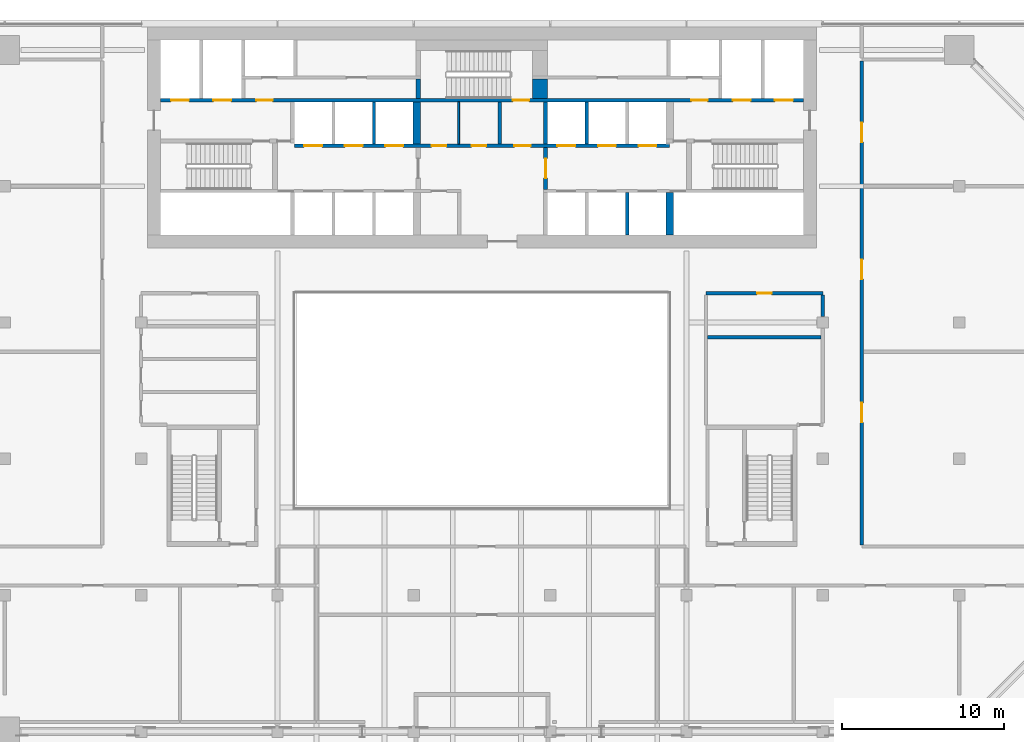
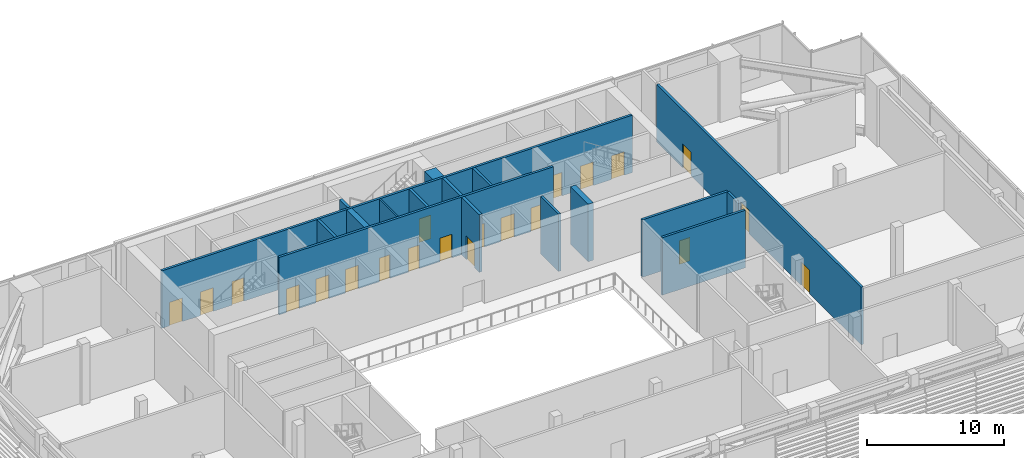
# One storey, part 15 of 29: 21 doors, 17 walls, 21 openings.
"""IFC4 building model written with IfcOpenShell, lengths in metres."""

import ifcopenshell
import ifcopenshell.guid

model = None  # the IFC model being written
_history = None  # IfcOwnerHistory: only IFC2X3 demands one
_inside = {}  # id of a spatial element -> (the spatial element, [elements in it])
_under = {}  # id of a project, library or spatial element -> (it, [spatial elements below it])
_declared = {}  # id of a project -> (the project, [libraries it declares])
_typed = {}  # id of a type object -> (the type object, [elements of that type])
_made_of = {}  # id of a material, layer set ... -> (it, [elements and type objects made of it])


def new_model(schema):
    """Start an empty IFC model of exactly this schema.

    Asked for "IFC4X3", IfcOpenShell would pick the latest addendum, in which some entities
    have other attributes; the version numbers below select the first issue.
    IFC2X3 requires an IfcOwnerHistory on every rooted entity: one is made here for all.
    """
    global model, _history
    if schema == "IFC4X3":
        model = ifcopenshell.file(schema_version=(4, 3, 0, 0))
    else:
        model = ifcopenshell.file(schema=schema)
    _inside.clear()
    _under.clear()
    _declared.clear()
    _typed.clear()
    _made_of.clear()
    _history = None
    if model.schema == "IFC2X3":
        org = make("IfcOrganization", Name="unknown")
        user = make(
            "IfcPersonAndOrganization",
            ThePerson=make("IfcPerson", FamilyName="unknown"),
            TheOrganization=org,
        )
        app = make(
            "IfcApplication",
            ApplicationDeveloper=org,
            Version="unknown",
            ApplicationFullName="unknown",
            ApplicationIdentifier="unknown",
        )
        _history = make(
            "IfcOwnerHistory",
            OwningUser=user,
            OwningApplication=app,
            ChangeAction="ADDED",
            CreationDate=0,
        )
    return model


def make(cls, **values):
    """One entity of the class cls with the attributes given. An attribute that is None is left unset."""
    return model.create_entity(
        cls, **{name: value for name, value in values.items() if value is not None}
    )


def rooted(cls, **values):
    """An entity with a GlobalId (a new one), such as an element, a storey or a relation."""
    return make(cls, GlobalId=ifcopenshell.guid.new(), OwnerHistory=_history, **values)


def si_unit(unit_type, name, prefix=None):
    """IfcSIUnit, for example si_unit("LENGTHUNIT", "METRE", prefix="MILLI")."""
    return make("IfcSIUnit", UnitType=unit_type, Prefix=prefix, Name=name)


def assignment(units):
    """IfcUnitAssignment: the units of a project."""
    return None if units is None else make("IfcUnitAssignment", Units=units)


def point(xyz):
    """IfcCartesianPoint."""
    return None if xyz is None else make("IfcCartesianPoint", Coordinates=xyz)


def direction(xyz):
    """IfcDirection."""
    return None if xyz is None else make("IfcDirection", DirectionRatios=xyz)


def frame(location, z_axis=None, x_axis=None):
    """IfcAxis2Placement3D, a coordinate frame: its origin and axes. An axis left out is left unset."""
    return make(
        "IfcAxis2Placement3D",
        Location=point(location),
        Axis=direction(z_axis),
        RefDirection=direction(x_axis),
    )


def frame_2d(location, x_axis=None):
    """IfcAxis2Placement2D, a coordinate frame in the plane: its origin and x axis."""
    return make(
        "IfcAxis2Placement2D", Location=point(location), RefDirection=direction(x_axis)
    )


def origin():
    """The frame at (0, 0, 0) with its axes left unset."""
    return frame((0.0, 0.0, 0.0))


def place(relative_to, where):
    """IfcLocalPlacement: puts the frame where relative to a parent placement (None: the world)."""
    return make(
        "IfcLocalPlacement", PlacementRelTo=relative_to, RelativePlacement=where
    )


def context(
    kind, dimensions, precision=None, world=None, true_north=None, identifier=None
):
    """IfcGeometricRepresentationContext, for example the 3D "Model" context."""
    return make(
        "IfcGeometricRepresentationContext",
        ContextIdentifier=identifier,
        ContextType=kind,
        CoordinateSpaceDimension=dimensions,
        Precision=precision,
        WorldCoordinateSystem=world,
        TrueNorth=true_north,
    )


def subcontext(parent, identifier, kind, view, scale=None):
    """IfcGeometricRepresentationSubContext, for example "Body" below "Model"."""
    return make(
        "IfcGeometricRepresentationSubContext",
        ContextIdentifier=identifier,
        ContextType=kind,
        ParentContext=parent,
        TargetScale=scale,
        TargetView=view,
    )


def project(units=None, contexts=None):
    """IfcProject with its units and contexts."""
    return rooted(
        "IfcProject",
        Name="project",
        RepresentationContexts=contexts,
        UnitsInContext=assignment(units),
    )


def spatial(cls, under=None, at=None, **own):
    """A site, building, storey or space (cls), placed at a placement, below another one or the project."""
    s = rooted(cls, ObjectPlacement=at, **own)
    if under is not None:
        _under.setdefault(under.id(), (under, []))[1].append(s)
    return s


def profile(cls, at=None, kind="AREA", **sizes):
    """A parametric profile (cls). Its sizes go by their IFC names, for example OverallWidth=200.0."""
    return make(cls, ProfileType=kind, Position=at, **sizes)


def rectangle(**sizes):
    """IfcRectangleProfileDef."""
    return profile("IfcRectangleProfileDef", **sizes)


def extrude(swept, where, along, depth):
    """IfcExtrudedAreaSolid: the profile swept, set in the frame where, extruded along a direction by depth."""
    return make(
        "IfcExtrudedAreaSolid",
        SweptArea=swept,
        Position=where,
        ExtrudedDirection=direction(along),
        Depth=depth,
    )


def shape(context_of_items, identifier, shape_type, items):
    """IfcShapeRepresentation: the items that make up one representation, for example the "Body"."""
    return make(
        "IfcShapeRepresentation",
        ContextOfItems=context_of_items,
        RepresentationIdentifier=identifier,
        RepresentationType=shape_type,
        Items=items,
    )


def material(Name=None, Category=None):
    """IfcMaterial."""
    return make("IfcMaterial", Name=Name, Category=Category)


def layer(
    of_material, thickness, ventilated=None, Name=None, Category=None, Priority=None
):
    """IfcMaterialLayer: one layer of a wall or slab, of a material (None: an air gap)."""
    return make(
        "IfcMaterialLayer",
        Material=of_material,
        LayerThickness=thickness,
        IsVentilated=ventilated,
        Name=Name,
        Category=Category,
        Priority=Priority,
    )


def layer_set(layers, Name=None):
    """IfcMaterialLayerSet."""
    return make("IfcMaterialLayerSet", MaterialLayers=layers, LayerSetName=Name)


def made_of(thing, what):
    """Note that an element or type object is made of a material, layer set ...; save() writes the relation."""
    if what is not None:
        _made_of.setdefault(what.id(), (what, []))[1].append(thing)
    return thing


def type_object(cls, material=None, **own):
    """A type object (cls), such as IfcWallType, which elements share."""
    return made_of(rooted(cls, **own), material)


def element(
    cls,
    number,
    at=None,
    inside=None,
    cuts=None,
    type_object=None,
    material=None,
    context=None,
    identifier="Body",
    shape_type=None,
    held_by="IfcProductDefinitionShape",
    body=None,
    shapes=None,
    **own,
):
    """One element of the class cls, such as IfcWall. Its Tag is "e" and its number.

    at: its placement. inside: the storey or other place that contains it. cuts: it is an
    opening in that element (IfcRelVoidsElement). A single representation is given by context,
    identifier, shape_type and body (its items); several are given by shapes. held_by: the class
    of the entity that holds the representations. save() writes the other relations.
    """
    e = rooted(cls, Tag="e%d" % number, ObjectPlacement=at, **own)
    if body is not None:
        shapes = [shape(context, identifier, shape_type, body)]
    if shapes is not None:
        e.Representation = make(held_by, Representations=shapes)
    if inside is not None:
        _inside.setdefault(inside.id(), (inside, []))[1].append(e)
    if cuts is not None:
        rooted(
            "IfcRelVoidsElement", RelatingBuildingElement=cuts, RelatedOpeningElement=e
        )
    if type_object is not None:
        _typed.setdefault(type_object.id(), (type_object, []))[1].append(e)
    return made_of(e, material)


def fill(opening, filler):
    """IfcRelFillsElement: the door or window that sits in an opening."""
    return rooted(
        "IfcRelFillsElement",
        RelatingOpeningElement=opening,
        RelatedBuildingElement=filler,
    )


def aggregate(whole, parts):
    """IfcRelAggregates: a whole, such as a stair, and the parts it consists of."""
    return rooted("IfcRelAggregates", RelatingObject=whole, RelatedObjects=parts)


def save(model, path):
    """Write the relations noted so far, then the file.

    IfcRelAggregates (storeys below a building ...), IfcRelContainedInSpatialStructure (elements
    in a storey), IfcRelDefinesByType, IfcRelAssociatesMaterial and IfcRelDeclares: one each for
    every whole, place, type object, material and project.
    """
    for whole, parts in _under.values():
        aggregate(whole, parts)
    for where, things in _inside.values():
        rooted(
            "IfcRelContainedInSpatialStructure",
            RelatedElements=things,
            RelatingStructure=where,
        )
    for kind, things in _typed.values():
        rooted("IfcRelDefinesByType", RelatedObjects=things, RelatingType=kind)
    for what, things in _made_of.values():
        rooted("IfcRelAssociatesMaterial", RelatedObjects=things, RelatingMaterial=what)
    for by, libraries in _declared.values():
        rooted("IfcRelDeclares", RelatingContext=by, RelatedDefinitions=libraries)
    model.write(path)


model = new_model("IFC4")

# Units and contexts
model_context = context("Model", 3, precision=1e-05, world=origin(), true_north=direction((0.0, 1.0)))
body_context = subcontext(model_context, "Body", "Model", "MODEL_VIEW")
ifc_project = project(units=[si_unit("LENGTHUNIT", "METRE"), si_unit("AREAUNIT", "SQUARE_METRE"), si_unit("VOLUMEUNIT", "CUBIC_METRE"), si_unit("PLANEANGLEUNIT", "RADIAN"), si_unit("MASSUNIT", "GRAM", prefix="KILO")], contexts=[model_context])

# Site, building, storey
site_placement = place(None, origin())
site = spatial("IfcSite", under=ifc_project, at=site_placement, CompositionType="ELEMENT")
building_placement = place(site_placement, origin())
building = spatial("IfcBuilding", under=site, at=building_placement, Name="Saffron Gate Tower", CompositionType="ELEMENT")
storey_placement = place(building_placement, frame((0.0, 0.0, 142.050048828125)))
storey = spatial("IfcBuildingStorey", under=building, at=storey_placement, Name="L34", CompositionType="ELEMENT", Elevation=142.050048828125)

# Wall
ifc_material_1 = material(Name="Gypsum board partition on steel studs", Category="steel")
ifc_layer_1 = layer(ifc_material_1, 0.199951171875)
ifc_layer_set_1 = layer_set([ifc_layer_1], Name="CW10 Core partition 200")
wall_type_1 = type_object("IfcWallType", Name="CW10 Core partition 200", PredefinedType="PARTITIONING", material=ifc_layer_set_1)
wall_1_placement = place(storey_placement, frame((88.699951171875, 68.0, 0.0), z_axis=(0.0, 0.0, 1.0), x_axis=(0.0, 1.0, 0.0)))
element("IfcWall", 1, at=wall_1_placement, inside=storey, type_object=wall_type_1, Name="Wall CW10-L34-25", PredefinedType="PARTITIONING", context=body_context, shape_type="SweptSolid", body=[
    extrude(rectangle(XDim=2.60009765625, YDim=0.199951171875, at=frame_2d((1.300048828125, 0.0))), origin(), (0.0, 0.0, 1.0), 5.119873046875),
])

# Wall, opening, door
ifc_material_2 = material(Name="Concrete C60", Category="concrete")
ifc_layer_2 = layer(ifc_material_2, 0.25)
ifc_layer_set_2 = layer_set([ifc_layer_2], Name="CW14 RC core wall 250 C60")
wall_type_2 = type_object("IfcWallType", Name="CW14 RC core wall 250 C60", PredefinedType="SOLIDWALL", material=ifc_layer_set_2)
wall_2_placement = place(storey_placement, frame((91.52490234375, 65.199951171875, 0.0), z_axis=(0.0, 0.0, 1.0), x_axis=(0.0, 1.0, 0.0)))
wall_2 = element("IfcWall", 2, at=wall_2_placement, inside=storey, type_object=wall_type_2, Name="Wall CW14-L34-18", PredefinedType="SOLIDWALL", context=body_context, shape_type="SweptSolid", body=[
    extrude(rectangle(XDim=2.60009765625, YDim=0.25, at=frame_2d((1.300048828125, 0.0))), origin(), (0.0, 0.0, 1.0), 5.119873046875),
])
opening_1_placement = place(wall_2_placement, frame((0.699951171875, 0.0, 0.0)))
opening_1 = element("IfcOpeningElement", 3, at=opening_1_placement, cuts=wall_2, Name="Opening CR-01", PredefinedType="OPENING", context=body_context, shape_type="SweptSolid", body=[
    extrude(rectangle(XDim=1.199951171875, YDim=2.10009765625, at=frame_2d((0.60009765625, 1.050048828125))), frame((0.0, 0.135009765625, 0.0), z_axis=(0.0, -1.0, 0.0), x_axis=(1.0, 0.0, 0.0)), (0.0, 0.0, 1.0), 0.27001953125),
])
ifc_material_3 = material(Name="Steel fire door set", Category="steel")
door_type_1 = type_object("IfcDoorType", Name="CD3 Lobby door 1200x2100 EI 120", OperationType="NOTDEFINED", PredefinedType="DOOR", material=ifc_material_3)
door_1_placement = place(opening_1_placement, origin())
door_1 = element("IfcDoor", 4, at=door_1_placement, inside=storey, type_object=door_type_1, Name="DOOR CR-01", OperationType="SINGLE_SWING_RIGHT", OverallHeight=2.10009765625, OverallWidth=1.199951171875, PredefinedType="DOOR", context=body_context, shape_type="SweptSolid", body=[
    extrude(rectangle(XDim=1.199951171875, YDim=2.10009765625, at=frame_2d((0.60009765625, 1.050048828125))), frame((0.0, 0.02490234375, 0.0), z_axis=(0.0, -1.0, 0.0), x_axis=(1.0, 0.0, 0.0)), (0.0, 0.0, 1.0), 0.050048828125),
])
fill(opening_1, door_1)

# Walls
wall_3_placement = place(storey_placement, frame((91.52490234375, 68.0, 0.0), z_axis=(0.0, 0.0, 1.0), x_axis=(0.0, 1.0, 0.0)))
element("IfcWall", 5, at=wall_3_placement, inside=storey, type_object=wall_type_2, Name="Wall CW14-L34-26", PredefinedType="SOLIDWALL", context=body_context, shape_type="SweptSolid", body=[
    extrude(rectangle(XDim=2.60009765625, YDim=0.25, at=frame_2d((1.300048828125, 0.0))), origin(), (0.0, 0.0, 1.0), 5.119873046875),
])
wall_4_placement = place(storey_placement, frame((83.675048828125, 70.800048828125, 0.0), z_axis=(0.0, 0.0, 1.0), x_axis=(0.0, 1.0, 0.0)))
element("IfcWall", 6, at=wall_4_placement, inside=storey, type_object=wall_type_2, Name="Wall CW14-L34-37", PredefinedType="SOLIDWALL", context=body_context, shape_type="SweptSolid", body=[
    extrude(rectangle(XDim=1.199951171875, YDim=0.25, at=frame_2d((0.60009765625, 0.0))), origin(), (0.0, 0.0, 1.0), 5.119873046875),
])
ifc_layer_3 = layer(ifc_material_2, 0.199951171875)
ifc_layer_set_3 = layer_set([ifc_layer_3], Name="CW15 RC core wall 200 C60")
wall_type_3 = type_object("IfcWallType", Name="CW15 RC core wall 200 C60", PredefinedType="SOLIDWALL", material=ifc_layer_set_3)
wall_5_placement = place(storey_placement, frame((96.550048828125, 62.39990234375, 0.0), z_axis=(0.0, 0.0, 1.0), x_axis=(0.0, 1.0, 0.0)))
element("IfcWall", 7, at=wall_5_placement, inside=storey, type_object=wall_type_3, Name="Wall CW15-L34-12", PredefinedType="SOLIDWALL", context=body_context, shape_type="SweptSolid", body=[
    extrude(rectangle(XDim=2.60009765625, YDim=0.199951171875, at=frame_2d((1.300048828125, 0.0))), origin(), (0.0, 0.0, 1.0), 5.119873046875),
])

# Wall, openings, doors
wall_6_placement = place(storey_placement, frame((76.050048828125, 67.89990234375, 0.0), z_axis=(0.0, 0.0, 1.0), x_axis=(1.0, 0.0, 0.0)))
wall_6 = element("IfcWall", 8, at=wall_6_placement, inside=storey, type_object=wall_type_3, Name="Wall CW15-L34-20", PredefinedType="SOLIDWALL", context=body_context, shape_type="SweptSolid", body=[
    extrude(rectangle(XDim=23.099853515625, YDim=0.199951171875, at=frame_2d((11.5498046875, 0.0))), origin(), (0.0, 0.0, 1.0), 5.119873046875),
])
opening_2_placement = place(wall_6_placement, frame((0.60009765625, 0.0, 0.0)))
opening_2 = element("IfcOpeningElement", 9, at=opening_2_placement, cuts=wall_6, Name="Opening LD-LR4", PredefinedType="OPENING", context=body_context, shape_type="SweptSolid", body=[
    extrude(rectangle(XDim=1.10009765625, YDim=2.10009765625, at=frame_2d((0.550048828125, 1.050048828125))), frame((0.0, 0.10986328125, 0.0), z_axis=(0.0, -1.0, 0.0), x_axis=(1.0, 0.0, 0.0)), (0.0, 0.0, 1.0), 0.219970703125),
])
opening_3_placement = place(wall_6_placement, frame((3.10009765625, 0.0, 0.0)))
opening_3 = element("IfcOpeningElement", 10, at=opening_3_placement, cuts=wall_6, Name="Opening LD-LR5", PredefinedType="OPENING", context=body_context, shape_type="SweptSolid", body=[
    extrude(rectangle(XDim=1.10009765625, YDim=2.10009765625, at=frame_2d((0.550048828125, 1.050048828125))), frame((0.0, 0.10986328125, 0.0), z_axis=(0.0, -1.0, 0.0), x_axis=(1.0, 0.0, 0.0)), (0.0, 0.0, 1.0), 0.219970703125),
])
opening_4_placement = place(wall_6_placement, frame((5.60009765625, 0.0, 0.0)))
opening_4 = element("IfcOpeningElement", 11, at=opening_4_placement, cuts=wall_6, Name="Opening LD-LR6", PredefinedType="OPENING", context=body_context, shape_type="SweptSolid", body=[
    extrude(rectangle(XDim=1.10009765625, YDim=2.10009765625, at=frame_2d((0.550048828125, 1.050048828125))), frame((0.0, 0.10986328125, 0.0), z_axis=(0.0, -1.0, 0.0), x_axis=(1.0, 0.0, 0.0)), (0.0, 0.0, 1.0), 0.219970703125),
])
opening_5_placement = place(wall_6_placement, frame((8.449951171875, 0.0, 0.0)))
opening_5 = element("IfcOpeningElement", 12, at=opening_5_placement, cuts=wall_6, Name="Opening CR-67", PredefinedType="OPENING", context=body_context, shape_type="SweptSolid", body=[
    extrude(rectangle(XDim=0.89990234375, YDim=2.10009765625, at=frame_2d((0.449951171875, 1.050048828125))), frame((0.0, 0.10986328125, 0.0), z_axis=(0.0, -1.0, 0.0), x_axis=(1.0, 0.0, 0.0)), (0.0, 0.0, 1.0), 0.219970703125),
])
opening_6_placement = place(wall_6_placement, frame((10.909912109375, 0.0, 0.0)))
opening_6 = element("IfcOpeningElement", 13, at=opening_6_placement, cuts=wall_6, Name="Opening CR-68", PredefinedType="OPENING", context=body_context, shape_type="SweptSolid", body=[
    extrude(rectangle(XDim=0.89990234375, YDim=2.10009765625, at=frame_2d((0.449951171875, 1.050048828125))), frame((0.0, 0.10986328125, 0.0), z_axis=(0.0, -1.0, 0.0), x_axis=(1.0, 0.0, 0.0)), (0.0, 0.0, 1.0), 0.219970703125),
])
opening_7_placement = place(wall_6_placement, frame((13.550048828125, 0.0, 0.0)))
opening_7 = element("IfcOpeningElement", 14, at=opening_7_placement, cuts=wall_6, Name="Opening CR-02", PredefinedType="OPENING", context=body_context, shape_type="SweptSolid", body=[
    extrude(rectangle(XDim=1.0, YDim=2.10009765625, at=frame_2d((0.5, 1.050048828125))), frame((0.0, 0.10986328125, 0.0), z_axis=(0.0, -1.0, 0.0), x_axis=(1.0, 0.0, 0.0)), (0.0, 0.0, 1.0), 0.219970703125),
])
opening_8_placement = place(wall_6_placement, frame((16.199951171875, 0.0, 0.0)))
opening_8 = element("IfcOpeningElement", 15, at=opening_8_placement, cuts=wall_6, Name="Opening LD-HR4", PredefinedType="OPENING", context=body_context, shape_type="SweptSolid", body=[
    extrude(rectangle(XDim=1.10009765625, YDim=2.10009765625, at=frame_2d((0.550048828125, 1.050048828125))), frame((0.0, 0.10986328125, 0.0), z_axis=(0.0, -1.0, 0.0), x_axis=(1.0, 0.0, 0.0)), (0.0, 0.0, 1.0), 0.219970703125),
])
opening_9_placement = place(wall_6_placement, frame((18.699951171875, 0.0, 0.0)))
opening_9 = element("IfcOpeningElement", 16, at=opening_9_placement, cuts=wall_6, Name="Opening LD-HR5", PredefinedType="OPENING", context=body_context, shape_type="SweptSolid", body=[
    extrude(rectangle(XDim=1.10009765625, YDim=2.10009765625, at=frame_2d((0.550048828125, 1.050048828125))), frame((0.0, 0.10986328125, 0.0), z_axis=(0.0, -1.0, 0.0), x_axis=(1.0, 0.0, 0.0)), (0.0, 0.0, 1.0), 0.219970703125),
])
opening_10_placement = place(wall_6_placement, frame((21.199951171875, 0.0, 0.0)))
opening_10 = element("IfcOpeningElement", 17, at=opening_10_placement, cuts=wall_6, Name="Opening LD-HR6", PredefinedType="OPENING", context=body_context, shape_type="SweptSolid", body=[
    extrude(rectangle(XDim=1.10009765625, YDim=2.10009765625, at=frame_2d((0.550048828125, 1.050048828125))), frame((0.0, 0.10986328125, 0.0), z_axis=(0.0, -1.0, 0.0), x_axis=(1.0, 0.0, 0.0)), (0.0, 0.0, 1.0), 0.219970703125),
])
door_type_2 = type_object("IfcDoorType", Name="CD4 Lobby door 1000x2100 EI 120", OperationType="NOTDEFINED", PredefinedType="DOOR", material=ifc_material_3)
door_2_placement = place(opening_7_placement, origin())
door_2 = element("IfcDoor", 18, at=door_2_placement, inside=storey, type_object=door_type_2, Name="DOOR CR-02", OperationType="SINGLE_SWING_LEFT", OverallHeight=2.10009765625, OverallWidth=1.0, PredefinedType="DOOR", context=body_context, shape_type="SweptSolid", body=[
    extrude(rectangle(XDim=1.0, YDim=2.10009765625, at=frame_2d((0.5, 1.050048828125))), frame((0.0, 0.02490234375, 0.0), z_axis=(0.0, -1.0, 0.0), x_axis=(1.0, 0.0, 0.0)), (0.0, 0.0, 1.0), 0.050048828125),
])
fill(opening_7, door_2)
door_type_3 = type_object("IfcDoorType", Name="CD9 Room door 900x2100 EI 60", OperationType="NOTDEFINED", PredefinedType="DOOR", material=ifc_material_3)
door_3_placement = place(opening_5_placement, origin())
door_3 = element("IfcDoor", 19, at=door_3_placement, inside=storey, type_object=door_type_3, Name="DOOR CR-67", OperationType="SINGLE_SWING_LEFT", OverallHeight=2.10009765625, OverallWidth=0.89990234375, PredefinedType="DOOR", context=body_context, shape_type="SweptSolid", body=[
    extrude(rectangle(XDim=0.89990234375, YDim=2.10009765625, at=frame_2d((0.449951171875, 1.050048828125))), frame((0.0, 0.02490234375, 0.0), z_axis=(0.0, -1.0, 0.0), x_axis=(1.0, 0.0, 0.0)), (0.0, 0.0, 1.0), 0.050048828125),
])
fill(opening_5, door_3)
door_4_placement = place(opening_6_placement, origin())
door_4 = element("IfcDoor", 20, at=door_4_placement, inside=storey, type_object=door_type_3, Name="DOOR CR-68", OperationType="SINGLE_SWING_LEFT", OverallHeight=2.10009765625, OverallWidth=0.89990234375, PredefinedType="DOOR", context=body_context, shape_type="SweptSolid", body=[
    extrude(rectangle(XDim=0.89990234375, YDim=2.10009765625, at=frame_2d((0.449951171875, 1.050048828125))), frame((0.0, 0.02490234375, 0.0), z_axis=(0.0, -1.0, 0.0), x_axis=(1.0, 0.0, 0.0)), (0.0, 0.0, 1.0), 0.050048828125),
])
fill(opening_6, door_4)
ifc_material_4 = material(Name="Stainless steel landing door", Category="steel")
door_type_4 = type_object("IfcDoorType", Name="LD Lift landing door 1100x2100 EI 120", OperationType="SLIDING_TO_LEFT", PredefinedType="DOOR", material=ifc_material_4)
door_5_placement = place(opening_2_placement, origin())
door_5 = element("IfcDoor", 21, at=door_5_placement, inside=storey, type_object=door_type_4, Name="LANDING DOOR LD-LR4", OperationType="SLIDING_TO_RIGHT", OverallHeight=2.10009765625, OverallWidth=1.10009765625, PredefinedType="DOOR", context=body_context, shape_type="SweptSolid", body=[
    extrude(rectangle(XDim=1.10009765625, YDim=2.10009765625, at=frame_2d((0.550048828125, 1.050048828125))), frame((0.0, 0.02490234375, 0.0), z_axis=(0.0, -1.0, 0.0), x_axis=(1.0, 0.0, 0.0)), (0.0, 0.0, 1.0), 0.050048828125),
])
fill(opening_2, door_5)
door_6_placement = place(opening_3_placement, origin())
door_6 = element("IfcDoor", 22, at=door_6_placement, inside=storey, type_object=door_type_4, Name="LANDING DOOR LD-LR5", OperationType="SLIDING_TO_RIGHT", OverallHeight=2.10009765625, OverallWidth=1.10009765625, PredefinedType="DOOR", context=body_context, shape_type="SweptSolid", body=[
    extrude(rectangle(XDim=1.10009765625, YDim=2.10009765625, at=frame_2d((0.550048828125, 1.050048828125))), frame((0.0, 0.02490234375, 0.0), z_axis=(0.0, -1.0, 0.0), x_axis=(1.0, 0.0, 0.0)), (0.0, 0.0, 1.0), 0.050048828125),
])
fill(opening_3, door_6)
door_7_placement = place(opening_4_placement, origin())
door_7 = element("IfcDoor", 23, at=door_7_placement, inside=storey, type_object=door_type_4, Name="LANDING DOOR LD-LR6", OperationType="SLIDING_TO_RIGHT", OverallHeight=2.10009765625, OverallWidth=1.10009765625, PredefinedType="DOOR", context=body_context, shape_type="SweptSolid", body=[
    extrude(rectangle(XDim=1.10009765625, YDim=2.10009765625, at=frame_2d((0.550048828125, 1.050048828125))), frame((0.0, 0.02490234375, 0.0), z_axis=(0.0, -1.0, 0.0), x_axis=(1.0, 0.0, 0.0)), (0.0, 0.0, 1.0), 0.050048828125),
])
fill(opening_4, door_7)
door_8_placement = place(opening_8_placement, origin())
door_8 = element("IfcDoor", 24, at=door_8_placement, inside=storey, type_object=door_type_4, Name="LANDING DOOR LD-HR4", OperationType="SLIDING_TO_RIGHT", OverallHeight=2.10009765625, OverallWidth=1.10009765625, PredefinedType="DOOR", context=body_context, shape_type="SweptSolid", body=[
    extrude(rectangle(XDim=1.10009765625, YDim=2.10009765625, at=frame_2d((0.550048828125, 1.050048828125))), frame((0.0, 0.02490234375, 0.0), z_axis=(0.0, -1.0, 0.0), x_axis=(1.0, 0.0, 0.0)), (0.0, 0.0, 1.0), 0.050048828125),
])
fill(opening_8, door_8)
door_9_placement = place(opening_9_placement, origin())
door_9 = element("IfcDoor", 25, at=door_9_placement, inside=storey, type_object=door_type_4, Name="LANDING DOOR LD-HR5", OperationType="SLIDING_TO_RIGHT", OverallHeight=2.10009765625, OverallWidth=1.10009765625, PredefinedType="DOOR", context=body_context, shape_type="SweptSolid", body=[
    extrude(rectangle(XDim=1.10009765625, YDim=2.10009765625, at=frame_2d((0.550048828125, 1.050048828125))), frame((0.0, 0.02490234375, 0.0), z_axis=(0.0, -1.0, 0.0), x_axis=(1.0, 0.0, 0.0)), (0.0, 0.0, 1.0), 0.050048828125),
])
fill(opening_9, door_9)
door_10_placement = place(opening_10_placement, origin())
door_10 = element("IfcDoor", 26, at=door_10_placement, inside=storey, type_object=door_type_4, Name="LANDING DOOR LD-HR6", OperationType="SLIDING_TO_RIGHT", OverallHeight=2.10009765625, OverallWidth=1.10009765625, PredefinedType="DOOR", context=body_context, shape_type="SweptSolid", body=[
    extrude(rectangle(XDim=1.10009765625, YDim=2.10009765625, at=frame_2d((0.550048828125, 1.050048828125))), frame((0.0, 0.02490234375, 0.0), z_axis=(0.0, -1.0, 0.0), x_axis=(1.0, 0.0, 0.0)), (0.0, 0.0, 1.0), 0.050048828125),
])
fill(opening_10, door_10)

# Walls
for number, where, z_axis, x_axis, name in (
    (27, (80.949951171875, 68.0, 0.0), (0.0, 0.0, 1.0), (0.0, 1.0, 0.0), "Wall CW15-L34-22"),
    (28, (94.050048828125, 68.0, 0.0), (0.0, 0.0, 1.0), (0.0, 1.0, 0.0), "Wall CW15-L34-27"),
):
    element("IfcWall", number, at=place(storey_placement, frame(where, z_axis=z_axis, x_axis=x_axis)), inside=storey, type_object=wall_type_3, Name=name, PredefinedType="SOLIDWALL", context=body_context, shape_type="SweptSolid", body=[
        extrude(rectangle(XDim=2.60009765625, YDim=0.199951171875, at=frame_2d((1.300048828125, 0.0))), origin(), (0.0, 0.0, 1.0), 5.119873046875),
    ])

# Wall, openings, doors
wall_7_placement = place(storey_placement, frame((67.800048828125, 70.699951171875, 0.0), z_axis=(0.0, 0.0, 1.0), x_axis=(1.0, 0.0, 0.0)))
wall_7 = element("IfcWall", 29, at=wall_7_placement, inside=storey, type_object=wall_type_3, Name="Wall CW15-L34-34", PredefinedType="SOLIDWALL", context=body_context, shape_type="SweptSolid", body=[
    extrude(rectangle(XDim=39.599853515625, YDim=0.199951171875, at=frame_2d((19.7998046875, 0.0))), origin(), (0.0, 0.0, 1.0), 5.119873046875),
])
opening_11_placement = place(wall_7_placement, frame((0.64990234375, 0.0, 0.0)))
opening_11 = element("IfcOpeningElement", 30, at=opening_11_placement, cuts=wall_7, Name="Opening LD-FF1", PredefinedType="OPENING", context=body_context, shape_type="SweptSolid", body=[
    extrude(rectangle(XDim=1.10009765625, YDim=2.10009765625, at=frame_2d((0.550048828125, 1.050048828125))), frame((0.0, 0.10986328125, 0.0), z_axis=(0.0, -1.0, 0.0), x_axis=(1.0, 0.0, 0.0)), (0.0, 0.0, 1.0), 0.219970703125),
])
opening_12_placement = place(wall_7_placement, frame((3.25, 0.0, 0.0)))
opening_12 = element("IfcOpeningElement", 31, at=opening_12_placement, cuts=wall_7, Name="Opening LD-SV1", PredefinedType="OPENING", context=body_context, shape_type="SweptSolid", body=[
    extrude(rectangle(XDim=1.10009765625, YDim=2.10009765625, at=frame_2d((0.550048828125, 1.050048828125))), frame((0.0, 0.10986328125, 0.0), z_axis=(0.0, -1.0, 0.0), x_axis=(1.0, 0.0, 0.0)), (0.0, 0.0, 1.0), 0.219970703125),
])
opening_13_placement = place(wall_7_placement, frame((5.89990234375, 0.0, 0.0)))
opening_13 = element("IfcOpeningElement", 32, at=opening_13_placement, cuts=wall_7, Name="Opening CR-03", PredefinedType="OPENING", context=body_context, shape_type="SweptSolid", body=[
    extrude(rectangle(XDim=1.0, YDim=2.10009765625, at=frame_2d((0.5, 1.050048828125))), frame((0.0, 0.10986328125, 0.0), z_axis=(0.0, -1.0, 0.0), x_axis=(1.0, 0.0, 0.0)), (0.0, 0.0, 1.0), 0.219970703125),
])
opening_14_placement = place(wall_7_placement, frame((21.699951171875, 0.0, 0.0)))
opening_14 = element("IfcOpeningElement", 33, at=opening_14_placement, cuts=wall_7, Name="Opening CR-17", PredefinedType="OPENING", context=body_context, shape_type="SweptSolid", body=[
    extrude(rectangle(XDim=1.0, YDim=2.10009765625, at=frame_2d((0.5, 1.050048828125))), frame((0.0, 0.10986328125, 0.0), z_axis=(0.0, -1.0, 0.0), x_axis=(1.0, 0.0, 0.0)), (0.0, 0.0, 1.0), 0.219970703125),
])
opening_15_placement = place(wall_7_placement, frame((32.699951171875, 0.0, 0.0)))
opening_15 = element("IfcOpeningElement", 34, at=opening_15_placement, cuts=wall_7, Name="Opening CR-04", PredefinedType="OPENING", context=body_context, shape_type="SweptSolid", body=[
    extrude(rectangle(XDim=1.0, YDim=2.10009765625, at=frame_2d((0.5, 1.050048828125))), frame((0.0, 0.10986328125, 0.0), z_axis=(0.0, -1.0, 0.0), x_axis=(1.0, 0.0, 0.0)), (0.0, 0.0, 1.0), 0.219970703125),
])
opening_16_placement = place(wall_7_placement, frame((35.25, 0.0, 0.0)))
opening_16 = element("IfcOpeningElement", 35, at=opening_16_placement, cuts=wall_7, Name="Opening LD-SV2", PredefinedType="OPENING", context=body_context, shape_type="SweptSolid", body=[
    extrude(rectangle(XDim=1.10009765625, YDim=2.10009765625, at=frame_2d((0.550048828125, 1.050048828125))), frame((0.0, 0.10986328125, 0.0), z_axis=(0.0, -1.0, 0.0), x_axis=(1.0, 0.0, 0.0)), (0.0, 0.0, 1.0), 0.219970703125),
])
opening_17_placement = place(wall_7_placement, frame((37.85009765625, 0.0, 0.0)))
opening_17 = element("IfcOpeningElement", 36, at=opening_17_placement, cuts=wall_7, Name="Opening LD-FF2", PredefinedType="OPENING", context=body_context, shape_type="SweptSolid", body=[
    extrude(rectangle(XDim=1.10009765625, YDim=2.10009765625, at=frame_2d((0.550048828125, 1.050048828125))), frame((0.0, 0.10986328125, 0.0), z_axis=(0.0, -1.0, 0.0), x_axis=(1.0, 0.0, 0.0)), (0.0, 0.0, 1.0), 0.219970703125),
])
door_11_placement = place(opening_13_placement, origin())
door_11 = element("IfcDoor", 37, at=door_11_placement, inside=storey, type_object=door_type_2, Name="DOOR CR-03", OperationType="SINGLE_SWING_LEFT", OverallHeight=2.10009765625, OverallWidth=1.0, PredefinedType="DOOR", context=body_context, shape_type="SweptSolid", body=[
    extrude(rectangle(XDim=1.0, YDim=2.10009765625, at=frame_2d((0.5, 1.050048828125))), frame((0.0, 0.02490234375, 0.0), z_axis=(0.0, -1.0, 0.0), x_axis=(1.0, 0.0, 0.0)), (0.0, 0.0, 1.0), 0.050048828125),
])
fill(opening_13, door_11)
door_12_placement = place(opening_15_placement, origin())
door_12 = element("IfcDoor", 38, at=door_12_placement, inside=storey, type_object=door_type_2, Name="DOOR CR-04", OperationType="SINGLE_SWING_RIGHT", OverallHeight=2.10009765625, OverallWidth=1.0, PredefinedType="DOOR", context=body_context, shape_type="SweptSolid", body=[
    extrude(rectangle(XDim=1.0, YDim=2.10009765625, at=frame_2d((0.5, 1.050048828125))), frame((0.0, 0.02490234375, 0.0), z_axis=(0.0, -1.0, 0.0), x_axis=(1.0, 0.0, 0.0)), (0.0, 0.0, 1.0), 0.050048828125),
])
fill(opening_15, door_12)
door_type_5 = type_object("IfcDoorType", Name="CD5 Stair door 1000x2100 EI 120", OperationType="NOTDEFINED", PredefinedType="DOOR", material=ifc_material_3)
door_13_placement = place(opening_14_placement, origin())
door_13 = element("IfcDoor", 39, at=door_13_placement, inside=storey, type_object=door_type_5, Name="DOOR CR-17", OperationType="SINGLE_SWING_RIGHT", OverallHeight=2.10009765625, OverallWidth=1.0, PredefinedType="DOOR", context=body_context, shape_type="SweptSolid", body=[
    extrude(rectangle(XDim=1.0, YDim=2.10009765625, at=frame_2d((0.5, 1.050048828125))), frame((0.0, 0.02490234375, 0.0), z_axis=(0.0, -1.0, 0.0), x_axis=(1.0, 0.0, 0.0)), (0.0, 0.0, 1.0), 0.050048828125),
])
fill(opening_14, door_13)
door_14_placement = place(opening_11_placement, origin())
door_14 = element("IfcDoor", 40, at=door_14_placement, inside=storey, type_object=door_type_4, Name="LANDING DOOR LD-FF1", OperationType="SLIDING_TO_RIGHT", OverallHeight=2.10009765625, OverallWidth=1.10009765625, PredefinedType="DOOR", context=body_context, shape_type="SweptSolid", body=[
    extrude(rectangle(XDim=1.10009765625, YDim=2.10009765625, at=frame_2d((0.550048828125, 1.050048828125))), frame((0.0, 0.02490234375, 0.0), z_axis=(0.0, -1.0, 0.0), x_axis=(1.0, 0.0, 0.0)), (0.0, 0.0, 1.0), 0.050048828125),
])
fill(opening_11, door_14)
door_15_placement = place(opening_12_placement, origin())
door_15 = element("IfcDoor", 41, at=door_15_placement, inside=storey, type_object=door_type_4, Name="LANDING DOOR LD-SV1", OperationType="SLIDING_TO_RIGHT", OverallHeight=2.10009765625, OverallWidth=1.10009765625, PredefinedType="DOOR", context=body_context, shape_type="SweptSolid", body=[
    extrude(rectangle(XDim=1.10009765625, YDim=2.10009765625, at=frame_2d((0.550048828125, 1.050048828125))), frame((0.0, 0.02490234375, 0.0), z_axis=(0.0, -1.0, 0.0), x_axis=(1.0, 0.0, 0.0)), (0.0, 0.0, 1.0), 0.050048828125),
])
fill(opening_12, door_15)
door_16_placement = place(opening_16_placement, origin())
door_16 = element("IfcDoor", 42, at=door_16_placement, inside=storey, type_object=door_type_4, Name="LANDING DOOR LD-SV2", OperationType="SLIDING_TO_RIGHT", OverallHeight=2.10009765625, OverallWidth=1.10009765625, PredefinedType="DOOR", context=body_context, shape_type="SweptSolid", body=[
    extrude(rectangle(XDim=1.10009765625, YDim=2.10009765625, at=frame_2d((0.550048828125, 1.050048828125))), frame((0.0, 0.02490234375, 0.0), z_axis=(0.0, -1.0, 0.0), x_axis=(1.0, 0.0, 0.0)), (0.0, 0.0, 1.0), 0.050048828125),
])
fill(opening_16, door_16)
door_17_placement = place(opening_17_placement, origin())
door_17 = element("IfcDoor", 43, at=door_17_placement, inside=storey, type_object=door_type_4, Name="LANDING DOOR LD-FF2", OperationType="SLIDING_TO_RIGHT", OverallHeight=2.10009765625, OverallWidth=1.10009765625, PredefinedType="DOOR", context=body_context, shape_type="SweptSolid", body=[
    extrude(rectangle(XDim=1.10009765625, YDim=2.10009765625, at=frame_2d((0.550048828125, 1.050048828125))), frame((0.0, 0.02490234375, 0.0), z_axis=(0.0, -1.0, 0.0), x_axis=(1.0, 0.0, 0.0)), (0.0, 0.0, 1.0), 0.050048828125),
])
fill(opening_17, door_17)

# Walls
ifc_layer_4 = layer(ifc_material_2, 0.449951171875)
ifc_layer_set_4 = layer_set([ifc_layer_4], Name="CW16 RC core wall 450 C60")
wall_type_4 = type_object("IfcWallType", Name="CW16 RC core wall 450 C60", PredefinedType="SOLIDWALL", material=ifc_layer_set_4)
for number, where, z_axis, x_axis, name in (
    (44, (99.175048828125, 62.39990234375, 0.0), (0.0, 0.0, 1.0), (0.0, 1.0, 0.0), "Wall CW16-L34-13"),
    (45, (83.574951171875, 68.0, 0.0), (0.0, 0.0, 1.0), (0.0, 1.0, 0.0), "Wall CW16-L34-23"),
):
    element("IfcWall", number, at=place(storey_placement, frame(where, z_axis=z_axis, x_axis=x_axis)), inside=storey, type_object=wall_type_4, Name=name, PredefinedType="SOLIDWALL", context=body_context, shape_type="SweptSolid", body=[
        extrude(rectangle(XDim=2.60009765625, YDim=0.449951171875, at=frame_2d((1.300048828125, 0.0))), origin(), (0.0, 0.0, 1.0), 5.119873046875),
    ])
ifc_layer_5 = layer(ifc_material_2, 0.949951171875)
ifc_layer_set_5 = layer_set([ifc_layer_5], Name="CW19 RC core wall 950 C60")
wall_type_5 = type_object("IfcWallType", Name="CW19 RC core wall 950 C60", PredefinedType="SOLIDWALL", material=ifc_layer_set_5)
wall_8_placement = place(storey_placement, frame((91.175048828125, 70.800048828125, 0.0), z_axis=(0.0, 0.0, 1.0), x_axis=(0.0, 1.0, 0.0)))
element("IfcWall", 46, at=wall_8_placement, inside=storey, type_object=wall_type_5, Name="Wall CW19-L34-38", PredefinedType="SOLIDWALL", context=body_context, shape_type="SweptSolid", body=[
    extrude(rectangle(XDim=1.199951171875, YDim=0.949951171875, at=frame_2d((0.60009765625, 0.0))), origin(), (0.0, 0.0, 1.0), 5.119873046875),
])
ifc_layer_6 = layer(ifc_material_1, 0.1201171875)
ifc_layer_set_6 = layer_set([ifc_layer_6], Name="CW8 Core partition 120")
wall_type_6 = type_object("IfcWallType", Name="CW8 Core partition 120", PredefinedType="PARTITIONING", material=ifc_layer_set_6)
wall_9_placement = place(storey_placement, frame((86.159912109375, 68.0, 0.0), z_axis=(0.0, 0.0, 1.0), x_axis=(0.0, 1.0, 0.0)))
element("IfcWall", 47, at=wall_9_placement, inside=storey, type_object=wall_type_6, Name="Wall CW8-L34-24", PredefinedType="PARTITIONING", context=body_context, shape_type="SweptSolid", body=[
    extrude(rectangle(XDim=2.60009765625, YDim=0.1201171875, at=frame_2d((1.300048828125, 0.0))), origin(), (0.0, 0.0, 1.0), 5.119873046875),
])

# Wall, opening, door
ifc_material_5 = material(Name="Clay brick masonry, rendered", Category="masonry")
ifc_layer_7 = layer(ifc_material_5, 0.199951171875)
ifc_layer_set_7 = layer_set([ifc_layer_7], Name="PW3 Corridor wall 200")
wall_type_7 = type_object("IfcWallType", Name="PW3 Corridor wall 200", PredefinedType="PARTITIONING", material=ifc_layer_set_7)
wall_10_placement = place(storey_placement, frame((108.60009765625, 58.800048828125, 0.0), z_axis=(0.0, 0.0, 1.0), x_axis=(-1.0, 0.0, 0.0)))
wall_10 = element("IfcWall", 48, at=wall_10_placement, inside=storey, type_object=wall_type_7, Name="Wall SL-33", PredefinedType="PARTITIONING", context=body_context, shape_type="SweptSolid", body=[
    extrude(rectangle(XDim=7.2001953125, YDim=0.199951171875, at=frame_2d((3.60009765625, 0.0))), origin(), (0.0, 0.0, 1.0), 5.119873046875),
])
opening_18_placement = place(wall_10_placement, frame((3.14990234375, 0.0, 0.0)))
opening_18 = element("IfcOpeningElement", 49, at=opening_18_placement, cuts=wall_10, Name="Opening SL-1", PredefinedType="OPENING", context=body_context, shape_type="SweptSolid", body=[
    extrude(rectangle(XDim=0.89990234375, YDim=2.10009765625, at=frame_2d((0.449951171875, 1.050048828125))), frame((0.0, 0.10986328125, 0.0), z_axis=(0.0, -1.0, 0.0), x_axis=(1.0, 0.0, 0.0)), (0.0, 0.0, 1.0), 0.219970703125),
])
ifc_material_6 = material(Name="Timber door set", Category="wood")
door_type_6 = type_object("IfcDoorType", Name="RD1 Room door 900x2100", OperationType="NOTDEFINED", PredefinedType="DOOR", material=ifc_material_6)
door_18_placement = place(opening_18_placement, origin())
door_18 = element("IfcDoor", 50, at=door_18_placement, inside=storey, type_object=door_type_6, Name="Door SL-1", OperationType="SINGLE_SWING_RIGHT", OverallHeight=2.10009765625, OverallWidth=0.89990234375, PredefinedType="DOOR", context=body_context, shape_type="SweptSolid", body=[
    extrude(rectangle(XDim=0.89990234375, YDim=2.10009765625, at=frame_2d((0.449951171875, 1.050048828125))), frame((0.0, 0.02490234375, 0.0), z_axis=(0.0, -1.0, 0.0), x_axis=(1.0, 0.0, 0.0)), (0.0, 0.0, 1.0), 0.050048828125),
])
fill(opening_18, door_18)

# Wall
wall_11_placement = place(storey_placement, frame((108.60009765625, 58.699951171875, 0.0), z_axis=(0.0, 0.0, 1.0), x_axis=(0.0, -1.0, 0.0)))
element("IfcWall", 51, at=wall_11_placement, inside=storey, type_object=wall_type_7, Name="Wall SL-60", PredefinedType="PARTITIONING", context=body_context, shape_type="SweptSolid", body=[
    extrude(rectangle(XDim=1.329833984375, YDim=0.199951171875, at=frame_2d((0.6650390625, 0.0))), origin(), (0.0, 0.0, 1.0), 5.119873046875),
])

# Wall, openings, doors
wall_12_placement = place(storey_placement, frame((111.0, 73.10009765625, 0.0), z_axis=(0.0, 0.0, 1.0), x_axis=(0.0, -1.0, 0.0)))
wall_12 = element("IfcWall", 52, at=wall_12_placement, inside=storey, type_object=wall_type_7, Name="Wall SL-61", PredefinedType="PARTITIONING", context=body_context, shape_type="SweptSolid", body=[
    extrude(rectangle(XDim=29.800048828125, YDim=0.199951171875, at=frame_2d((14.89990234375, 0.0))), origin(), (0.0, 0.0, 1.0), 5.119873046875),
])
opening_19_placement = place(wall_12_placement, frame((3.781982421875, 0.0, 0.0)))
opening_19 = element("IfcOpeningElement", 53, at=opening_19_placement, cuts=wall_12, Name="Opening SL-12", PredefinedType="OPENING", context=body_context, shape_type="SweptSolid", body=[
    extrude(rectangle(XDim=1.199951171875, YDim=2.10009765625, at=frame_2d((0.60009765625, 1.050048828125))), frame((0.0, 0.10986328125, 0.0), z_axis=(0.0, -1.0, 0.0), x_axis=(1.0, 0.0, 0.0)), (0.0, 0.0, 1.0), 0.219970703125),
])
opening_20_placement = place(wall_12_placement, frame((12.2294921875, 0.0, 0.0)))
opening_20 = element("IfcOpeningElement", 54, at=opening_20_placement, cuts=wall_12, Name="Opening SL-11", PredefinedType="OPENING", context=body_context, shape_type="SweptSolid", body=[
    extrude(rectangle(XDim=1.199951171875, YDim=2.10009765625, at=frame_2d((0.60009765625, 1.050048828125))), frame((0.0, 0.10986328125, 0.0), z_axis=(0.0, -1.0, 0.0), x_axis=(1.0, 0.0, 0.0)), (0.0, 0.0, 1.0), 0.219970703125),
])
opening_21_placement = place(wall_12_placement, frame((21.050048828125, 0.0, 0.0)))
opening_21 = element("IfcOpeningElement", 55, at=opening_21_placement, cuts=wall_12, Name="Opening SL-10", PredefinedType="OPENING", context=body_context, shape_type="SweptSolid", body=[
    extrude(rectangle(XDim=1.199951171875, YDim=2.10009765625, at=frame_2d((0.60009765625, 1.050048828125))), frame((0.0, 0.10986328125, 0.0), z_axis=(0.0, -1.0, 0.0), x_axis=(1.0, 0.0, 0.0)), (0.0, 0.0, 1.0), 0.219970703125),
])
door_type_7 = type_object("IfcDoorType", Name="HD1 Hall door 1200x2100", OperationType="NOTDEFINED", PredefinedType="DOOR", material=ifc_material_6)
door_19_placement = place(opening_19_placement, origin())
door_19 = element("IfcDoor", 56, at=door_19_placement, inside=storey, type_object=door_type_7, Name="Door SL-12", OperationType="SINGLE_SWING_RIGHT", OverallHeight=2.10009765625, OverallWidth=1.199951171875, PredefinedType="DOOR", context=body_context, shape_type="SweptSolid", body=[
    extrude(rectangle(XDim=1.199951171875, YDim=2.10009765625, at=frame_2d((0.60009765625, 1.050048828125))), frame((0.0, 0.02490234375, 0.0), z_axis=(0.0, -1.0, 0.0), x_axis=(1.0, 0.0, 0.0)), (0.0, 0.0, 1.0), 0.050048828125),
])
fill(opening_19, door_19)
door_20_placement = place(opening_20_placement, origin())
door_20 = element("IfcDoor", 57, at=door_20_placement, inside=storey, type_object=door_type_7, Name="Door SL-11", OperationType="SINGLE_SWING_RIGHT", OverallHeight=2.10009765625, OverallWidth=1.199951171875, PredefinedType="DOOR", context=body_context, shape_type="SweptSolid", body=[
    extrude(rectangle(XDim=1.199951171875, YDim=2.10009765625, at=frame_2d((0.60009765625, 1.050048828125))), frame((0.0, 0.02490234375, 0.0), z_axis=(0.0, -1.0, 0.0), x_axis=(1.0, 0.0, 0.0)), (0.0, 0.0, 1.0), 0.050048828125),
])
fill(opening_20, door_20)
door_21_placement = place(opening_21_placement, origin())
door_21 = element("IfcDoor", 58, at=door_21_placement, inside=storey, type_object=door_type_7, Name="Door SL-10", OperationType="SINGLE_SWING_RIGHT", OverallHeight=2.10009765625, OverallWidth=1.199951171875, PredefinedType="DOOR", context=body_context, shape_type="SweptSolid", body=[
    extrude(rectangle(XDim=1.199951171875, YDim=2.10009765625, at=frame_2d((0.60009765625, 1.050048828125))), frame((0.0, 0.02490234375, 0.0), z_axis=(0.0, -1.0, 0.0), x_axis=(1.0, 0.0, 0.0)), (0.0, 0.0, 1.0), 0.050048828125),
])
fill(opening_21, door_21)

# Wall
ifc_layer_8 = layer(ifc_material_5, 0.199951171875)
ifc_layer_set_8 = layer_set([ifc_layer_8], Name="PW5 Room wall 200")
wall_type_8 = type_object("IfcWallType", Name="PW5 Room wall 200", PredefinedType="PARTITIONING", material=ifc_layer_set_8)
wall_13_placement = place(storey_placement, frame((101.5, 56.10009765625, 0.0), z_axis=(0.0, 0.0, 1.0), x_axis=(1.0, 0.0, 0.0)))
element("IfcWall", 59, at=wall_13_placement, inside=storey, type_object=wall_type_8, Name="Wall SL-30", PredefinedType="PARTITIONING", context=body_context, shape_type="SweptSolid", body=[
    extrude(rectangle(XDim=7.0, YDim=0.199951171875, at=frame_2d((3.5, 0.0))), origin(), (0.0, 0.0, 1.0), 5.119873046875),
])

save(model, "model.ifc")
